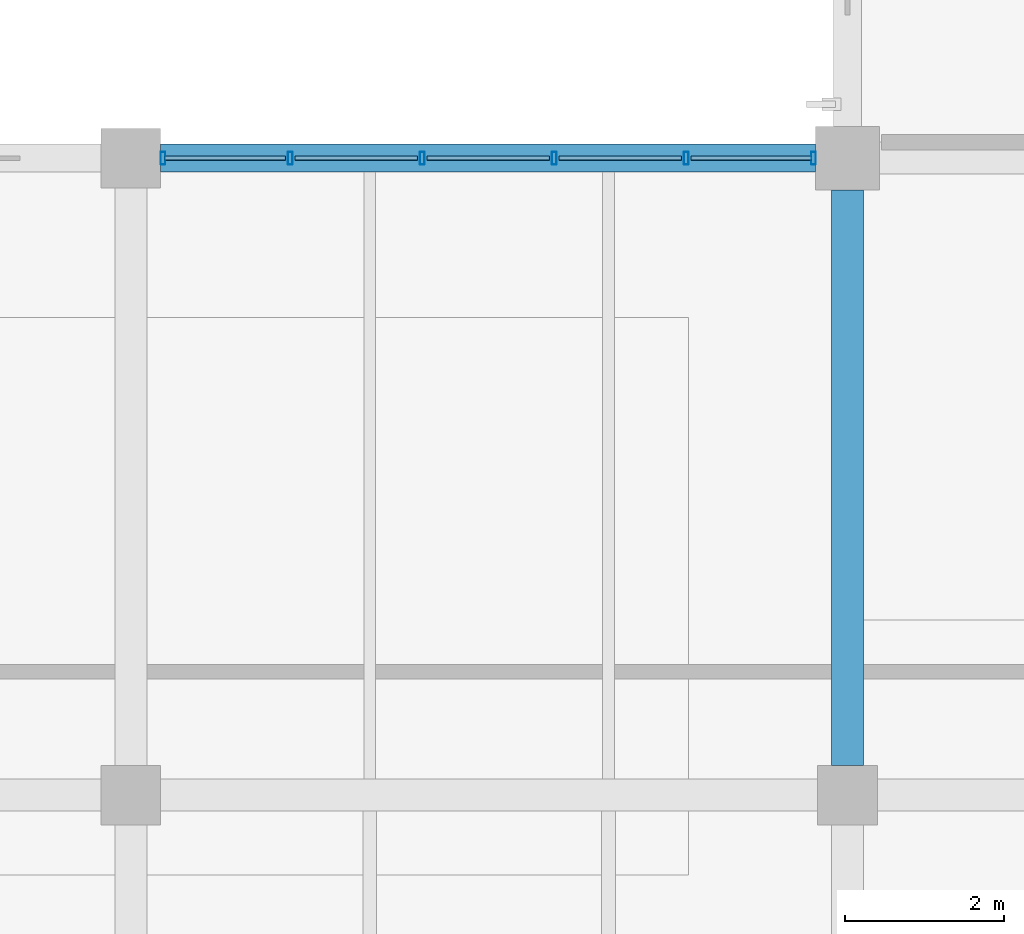
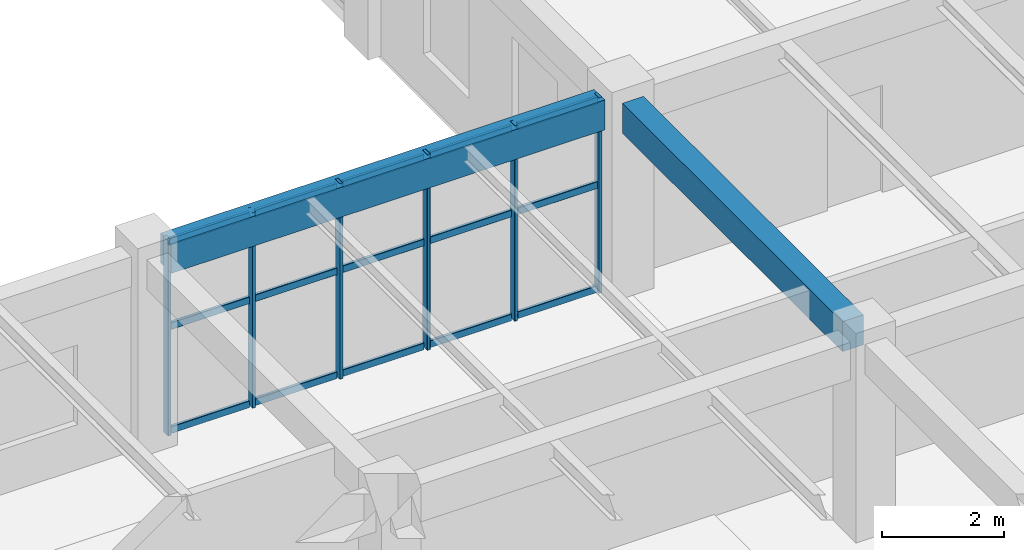
# One storey, part 89 of 148: 21 members, 2 beams, 1 element without a shape of its own.
"""IFC4 building model written with IfcOpenShell, lengths in metres."""

from ifc_helpers import new_model, si_unit, derived_unit, direction, frame, origin, origin_2d, place, context, subcontext, project, spatial, rectangle, hollow_rectangle, extrude, material, material_profile, profile_set, type_object, element, aggregate, save


model = new_model("IFC4")

# Units and contexts
model_context = context("Model", 3, precision=1e-05, world=origin(), true_north=direction((0.0, 1.0)))
body_context = subcontext(model_context, "Body", "Model", "MODEL_VIEW")
ifc_project = project(units=[si_unit("LENGTHUNIT", "METRE"), si_unit("AREAUNIT", "SQUARE_METRE"), si_unit("VOLUMEUNIT", "CUBIC_METRE"), si_unit("PLANEANGLEUNIT", "RADIAN"), si_unit("MASSUNIT", "GRAM", prefix="KILO"), derived_unit("THERMALTRANSMITTANCEUNIT", [(si_unit("MASSUNIT", "GRAM", prefix="KILO"), 1), (si_unit("TIMEUNIT", "SECOND"), -3), (si_unit("THERMODYNAMICTEMPERATUREUNIT", "KELVIN"), -1)])], contexts=[model_context])

# Site, building, storey
site_placement = place(None, origin())
site = spatial("IfcSite", under=ifc_project, at=site_placement, CompositionType="ELEMENT")
building_placement = place(site_placement, origin())
building = spatial("IfcBuilding", under=site, at=building_placement, Name="Zhenchuan Archway Interchange", CompositionType="ELEMENT")
storey_placement = place(building_placement, frame((0.0, 0.0, 10.199951171875)))
storey = spatial("IfcBuildingStorey", under=building, at=storey_placement, Name="L02", CompositionType="ELEMENT", Elevation=10.199951171875)

# Beam
ifc_material_1 = material(Name="Concrete C40", Category="concrete")
ifc_material_profile_1 = material_profile(ifc_material_1, rectangle(XDim=0.39990234375, YDim=0.60009765625, at=origin_2d()), Name="RC 400x600")
ifc_profile_set_1 = profile_set([ifc_material_profile_1], Name="Concrete C40")
beam_type_1 = type_object("IfcBeamType", Name="BM_RC_400x600", PredefinedType="BEAM", material=ifc_profile_set_1)
beam_1_placement = place(storey_placement, frame((144.0, 16.375, 3.6201171875), z_axis=(0.0, 1.0, 0.0), x_axis=(-1.0, 0.0, 0.0)))
element("IfcBeam", 1, at=beam_1_placement, inside=storey, type_object=beam_type_1, Name="Beam 17:C-D (L02)", PredefinedType="BEAM", context=body_context, shape_type="SweptSolid", body=[
    extrude(rectangle(XDim=0.39990234375, YDim=0.60009765625, at=origin_2d()), origin(), (0.0, 0.0, 1.0), 7.22509765625),
])

# Curtain wall, members
ifc_material_2 = material(Name="Anodised Aluminium", Category="aluminium")
curtain_wall_type = type_object("IfcCurtainWallType", Name="CW_UNIT_3", PredefinedType="NOTDEFINED", material=ifc_material_2)
curtain_wall_placement = place(storey_placement, origin())
curtain_wall = element("IfcCurtainWall", 2, at=curtain_wall_placement, inside=storey, type_object=curtain_wall_type, Name="Unitised curtain wall CW:L02:162", PredefinedType="NOTDEFINED")
ifc_material_profile_2 = material_profile(ifc_material_2, hollow_rectangle(XDim=0.06005859375, YDim=0.159912109375, WallThickness=0.00390625, InnerFilletRadius=0.00390625, OuterFilletRadius=0.008056640625, at=origin_2d()), Name="ALU 160x60x4")
ifc_profile_set_2 = profile_set([ifc_material_profile_2], Name="Anodised Aluminium")
member_type_1 = type_object("IfcMemberType", Name="CW_MUL_150", PredefinedType="MULLION", material=ifc_profile_set_2)
member_1_placement = place(storey_placement, frame((135.403076171875, 24.0, 0.0), z_axis=(0.0, 0.0, 1.0), x_axis=(1.0, 0.0, 0.0)))
member_1 = element("IfcMember", 3, at=member_1_placement, type_object=member_type_1, Name="CW:L02:162 mullion 0", PredefinedType="MULLION", context=body_context, shape_type="SweptSolid", body=[
    extrude(hollow_rectangle(XDim=0.06005859375, YDim=0.159912109375, WallThickness=0.00390625, InnerFilletRadius=0.00390625, OuterFilletRadius=0.008056640625, at=origin_2d()), origin(), (0.0, 0.0, 1.0), 3.920166015625),
])
member_2_placement = place(storey_placement, frame((137.000732421875, 24.0, 0.0), z_axis=(0.0, 0.0, 1.0), x_axis=(1.0, 0.0, 0.0)))
member_2 = element("IfcMember", 4, at=member_2_placement, type_object=member_type_1, Name="CW:L02:162 mullion 1", PredefinedType="MULLION", context=body_context, shape_type="SweptSolid", body=[
    extrude(hollow_rectangle(XDim=0.06005859375, YDim=0.159912109375, WallThickness=0.00390625, InnerFilletRadius=0.00390625, OuterFilletRadius=0.008056640625, at=origin_2d()), origin(), (0.0, 0.0, 1.0), 3.920166015625),
])
member_3_placement = place(storey_placement, frame((138.65869140625, 24.0, 0.0), z_axis=(0.0, 0.0, 1.0), x_axis=(1.0, 0.0, 0.0)))
member_3 = element("IfcMember", 5, at=member_3_placement, type_object=member_type_1, Name="CW:L02:162 mullion 2", PredefinedType="MULLION", context=body_context, shape_type="SweptSolid", body=[
    extrude(hollow_rectangle(XDim=0.06005859375, YDim=0.159912109375, WallThickness=0.00390625, InnerFilletRadius=0.00390625, OuterFilletRadius=0.008056640625, at=origin_2d()), origin(), (0.0, 0.0, 1.0), 3.920166015625),
])
member_4_placement = place(storey_placement, frame((140.31640625, 24.0, 0.0), z_axis=(0.0, 0.0, 1.0), x_axis=(1.0, 0.0, 0.0)))
member_4 = element("IfcMember", 6, at=member_4_placement, type_object=member_type_1, Name="CW:L02:162 mullion 3", PredefinedType="MULLION", context=body_context, shape_type="SweptSolid", body=[
    extrude(hollow_rectangle(XDim=0.06005859375, YDim=0.159912109375, WallThickness=0.00390625, InnerFilletRadius=0.00390625, OuterFilletRadius=0.008056640625, at=origin_2d()), origin(), (0.0, 0.0, 1.0), 3.920166015625),
])
member_5_placement = place(storey_placement, frame((141.97412109375, 24.0, 0.0), z_axis=(0.0, 0.0, 1.0), x_axis=(1.0, 0.0, 0.0)))
member_5 = element("IfcMember", 7, at=member_5_placement, type_object=member_type_1, Name="CW:L02:162 mullion 4", PredefinedType="MULLION", context=body_context, shape_type="SweptSolid", body=[
    extrude(hollow_rectangle(XDim=0.06005859375, YDim=0.159912109375, WallThickness=0.00390625, InnerFilletRadius=0.00390625, OuterFilletRadius=0.008056640625, at=origin_2d()), origin(), (0.0, 0.0, 1.0), 3.920166015625),
])
member_6_placement = place(storey_placement, frame((143.572021484375, 24.0, 0.0), z_axis=(0.0, 0.0, 1.0), x_axis=(1.0, 0.0, 0.0)))
member_6 = element("IfcMember", 8, at=member_6_placement, type_object=member_type_1, Name="CW:L02:162 mullion 5", PredefinedType="MULLION", context=body_context, shape_type="SweptSolid", body=[
    extrude(hollow_rectangle(XDim=0.06005859375, YDim=0.159912109375, WallThickness=0.00390625, InnerFilletRadius=0.00390625, OuterFilletRadius=0.008056640625, at=origin_2d()), origin(), (0.0, 0.0, 1.0), 3.920166015625),
])
ifc_material_profile_3 = material_profile(ifc_material_2, hollow_rectangle(XDim=0.06005859375, YDim=0.139892578125, WallThickness=0.00341796875, InnerFilletRadius=0.00341796875, OuterFilletRadius=0.007080078125, at=origin_2d()), Name="ALU 140x60x3.5")
ifc_profile_set_3 = profile_set([ifc_material_profile_3], Name="Anodised Aluminium")
member_type_2 = type_object("IfcMemberType", Name="CW_TRN_140", PredefinedType="USERDEFINED", material=ifc_profile_set_3)
member_7_placement = place(storey_placement, frame((135.423095703125, 24.0, 0.06005859375), z_axis=(1.0, 0.0, 0.0), x_axis=(0.0, 1.0, 0.0)))
member_7 = element("IfcMember", 9, at=member_7_placement, type_object=member_type_2, Name="CW:L02:162 transom 0-1", ObjectType="TRANSOM", PredefinedType="USERDEFINED", context=body_context, shape_type="SweptSolid", body=[
    extrude(hollow_rectangle(XDim=0.06005859375, YDim=0.139892578125, WallThickness=0.00341796875, InnerFilletRadius=0.00341796875, OuterFilletRadius=0.007080078125, at=origin_2d()), origin(), (0.0, 0.0, 1.0), 1.517822265625),
])
member_8_placement = place(storey_placement, frame((135.423095703125, 24.0, 2.14501953125), z_axis=(1.0, 0.0, 0.0), x_axis=(0.0, 1.0, 0.0)))
member_8 = element("IfcMember", 10, at=member_8_placement, type_object=member_type_2, Name="CW:L02:162 transom 0-2", ObjectType="TRANSOM", PredefinedType="USERDEFINED", context=body_context, shape_type="SweptSolid", body=[
    extrude(hollow_rectangle(XDim=0.06005859375, YDim=0.139892578125, WallThickness=0.00341796875, InnerFilletRadius=0.00341796875, OuterFilletRadius=0.007080078125, at=origin_2d()), origin(), (0.0, 0.0, 1.0), 1.517822265625),
])
member_9_placement = place(storey_placement, frame((135.423095703125, 24.0, 3.840087890625), z_axis=(1.0, 0.0, 0.0), x_axis=(0.0, 1.0, 0.0)))
member_9 = element("IfcMember", 11, at=member_9_placement, type_object=member_type_2, Name="CW:L02:162 transom 0-3", ObjectType="TRANSOM", PredefinedType="USERDEFINED", context=body_context, shape_type="SweptSolid", body=[
    extrude(hollow_rectangle(XDim=0.06005859375, YDim=0.139892578125, WallThickness=0.00341796875, InnerFilletRadius=0.00341796875, OuterFilletRadius=0.007080078125, at=origin_2d()), origin(), (0.0, 0.0, 1.0), 1.517822265625),
])
member_10_placement = place(storey_placement, frame((137.060791015625, 24.0, 0.06005859375), z_axis=(1.0, 0.0, 0.0), x_axis=(0.0, 1.0, 0.0)))
member_10 = element("IfcMember", 12, at=member_10_placement, type_object=member_type_2, Name="CW:L02:162 transom 1-1", ObjectType="TRANSOM", PredefinedType="USERDEFINED", context=body_context, shape_type="SweptSolid", body=[
    extrude(hollow_rectangle(XDim=0.06005859375, YDim=0.139892578125, WallThickness=0.00341796875, InnerFilletRadius=0.00341796875, OuterFilletRadius=0.007080078125, at=origin_2d()), origin(), (0.0, 0.0, 1.0), 1.537841796875),
])
member_11_placement = place(storey_placement, frame((137.060791015625, 24.0, 2.14501953125), z_axis=(1.0, 0.0, 0.0), x_axis=(0.0, 1.0, 0.0)))
member_11 = element("IfcMember", 13, at=member_11_placement, type_object=member_type_2, Name="CW:L02:162 transom 1-2", ObjectType="TRANSOM", PredefinedType="USERDEFINED", context=body_context, shape_type="SweptSolid", body=[
    extrude(hollow_rectangle(XDim=0.06005859375, YDim=0.139892578125, WallThickness=0.00341796875, InnerFilletRadius=0.00341796875, OuterFilletRadius=0.007080078125, at=origin_2d()), origin(), (0.0, 0.0, 1.0), 1.537841796875),
])
member_12_placement = place(storey_placement, frame((137.060791015625, 24.0, 3.840087890625), z_axis=(1.0, 0.0, 0.0), x_axis=(0.0, 1.0, 0.0)))
member_12 = element("IfcMember", 14, at=member_12_placement, type_object=member_type_2, Name="CW:L02:162 transom 1-3", ObjectType="TRANSOM", PredefinedType="USERDEFINED", context=body_context, shape_type="SweptSolid", body=[
    extrude(hollow_rectangle(XDim=0.06005859375, YDim=0.139892578125, WallThickness=0.00341796875, InnerFilletRadius=0.00341796875, OuterFilletRadius=0.007080078125, at=origin_2d()), origin(), (0.0, 0.0, 1.0), 1.537841796875),
])
member_13_placement = place(storey_placement, frame((138.718505859375, 24.0, 0.06005859375), z_axis=(1.0, 0.0, 0.0), x_axis=(0.0, 1.0, 0.0)))
member_13 = element("IfcMember", 15, at=member_13_placement, type_object=member_type_2, Name="CW:L02:162 transom 2-1", ObjectType="TRANSOM", PredefinedType="USERDEFINED", context=body_context, shape_type="SweptSolid", body=[
    extrude(hollow_rectangle(XDim=0.06005859375, YDim=0.139892578125, WallThickness=0.00341796875, InnerFilletRadius=0.00341796875, OuterFilletRadius=0.007080078125, at=origin_2d()), origin(), (0.0, 0.0, 1.0), 1.537841796875),
])
member_14_placement = place(storey_placement, frame((138.718505859375, 24.0, 2.14501953125), z_axis=(1.0, 0.0, 0.0), x_axis=(0.0, 1.0, 0.0)))
member_14 = element("IfcMember", 16, at=member_14_placement, type_object=member_type_2, Name="CW:L02:162 transom 2-2", ObjectType="TRANSOM", PredefinedType="USERDEFINED", context=body_context, shape_type="SweptSolid", body=[
    extrude(hollow_rectangle(XDim=0.06005859375, YDim=0.139892578125, WallThickness=0.00341796875, InnerFilletRadius=0.00341796875, OuterFilletRadius=0.007080078125, at=origin_2d()), origin(), (0.0, 0.0, 1.0), 1.537841796875),
])
member_15_placement = place(storey_placement, frame((138.718505859375, 24.0, 3.840087890625), z_axis=(1.0, 0.0, 0.0), x_axis=(0.0, 1.0, 0.0)))
member_15 = element("IfcMember", 17, at=member_15_placement, type_object=member_type_2, Name="CW:L02:162 transom 2-3", ObjectType="TRANSOM", PredefinedType="USERDEFINED", context=body_context, shape_type="SweptSolid", body=[
    extrude(hollow_rectangle(XDim=0.06005859375, YDim=0.139892578125, WallThickness=0.00341796875, InnerFilletRadius=0.00341796875, OuterFilletRadius=0.007080078125, at=origin_2d()), origin(), (0.0, 0.0, 1.0), 1.537841796875),
])
member_16_placement = place(storey_placement, frame((140.37646484375, 24.0, 0.06005859375), z_axis=(1.0, 0.0, 0.0), x_axis=(0.0, 1.0, 0.0)))
member_16 = element("IfcMember", 18, at=member_16_placement, type_object=member_type_2, Name="CW:L02:162 transom 3-1", ObjectType="TRANSOM", PredefinedType="USERDEFINED", context=body_context, shape_type="SweptSolid", body=[
    extrude(hollow_rectangle(XDim=0.06005859375, YDim=0.139892578125, WallThickness=0.00341796875, InnerFilletRadius=0.00341796875, OuterFilletRadius=0.007080078125, at=origin_2d()), origin(), (0.0, 0.0, 1.0), 1.537841796875),
])
member_17_placement = place(storey_placement, frame((140.37646484375, 24.0, 2.14501953125), z_axis=(1.0, 0.0, 0.0), x_axis=(0.0, 1.0, 0.0)))
member_17 = element("IfcMember", 19, at=member_17_placement, type_object=member_type_2, Name="CW:L02:162 transom 3-2", ObjectType="TRANSOM", PredefinedType="USERDEFINED", context=body_context, shape_type="SweptSolid", body=[
    extrude(hollow_rectangle(XDim=0.06005859375, YDim=0.139892578125, WallThickness=0.00341796875, InnerFilletRadius=0.00341796875, OuterFilletRadius=0.007080078125, at=origin_2d()), origin(), (0.0, 0.0, 1.0), 1.537841796875),
])
member_18_placement = place(storey_placement, frame((140.37646484375, 24.0, 3.840087890625), z_axis=(1.0, 0.0, 0.0), x_axis=(0.0, 1.0, 0.0)))
member_18 = element("IfcMember", 20, at=member_18_placement, type_object=member_type_2, Name="CW:L02:162 transom 3-3", ObjectType="TRANSOM", PredefinedType="USERDEFINED", context=body_context, shape_type="SweptSolid", body=[
    extrude(hollow_rectangle(XDim=0.06005859375, YDim=0.139892578125, WallThickness=0.00341796875, InnerFilletRadius=0.00341796875, OuterFilletRadius=0.007080078125, at=origin_2d()), origin(), (0.0, 0.0, 1.0), 1.537841796875),
])
member_19_placement = place(storey_placement, frame((142.0341796875, 24.0, 0.06005859375), z_axis=(1.0, 0.0, 0.0), x_axis=(0.0, 1.0, 0.0)))
member_19 = element("IfcMember", 21, at=member_19_placement, type_object=member_type_2, Name="CW:L02:162 transom 4-1", ObjectType="TRANSOM", PredefinedType="USERDEFINED", context=body_context, shape_type="SweptSolid", body=[
    extrude(hollow_rectangle(XDim=0.06005859375, YDim=0.139892578125, WallThickness=0.00341796875, InnerFilletRadius=0.00341796875, OuterFilletRadius=0.007080078125, at=origin_2d()), origin(), (0.0, 0.0, 1.0), 1.517822265625),
])
member_20_placement = place(storey_placement, frame((142.0341796875, 24.0, 2.14501953125), z_axis=(1.0, 0.0, 0.0), x_axis=(0.0, 1.0, 0.0)))
member_20 = element("IfcMember", 22, at=member_20_placement, type_object=member_type_2, Name="CW:L02:162 transom 4-2", ObjectType="TRANSOM", PredefinedType="USERDEFINED", context=body_context, shape_type="SweptSolid", body=[
    extrude(hollow_rectangle(XDim=0.06005859375, YDim=0.139892578125, WallThickness=0.00341796875, InnerFilletRadius=0.00341796875, OuterFilletRadius=0.007080078125, at=origin_2d()), origin(), (0.0, 0.0, 1.0), 1.517822265625),
])
member_21_placement = place(storey_placement, frame((142.0341796875, 24.0, 3.840087890625), z_axis=(1.0, 0.0, 0.0), x_axis=(0.0, 1.0, 0.0)))
member_21 = element("IfcMember", 23, at=member_21_placement, type_object=member_type_2, Name="CW:L02:162 transom 4-3", ObjectType="TRANSOM", PredefinedType="USERDEFINED", context=body_context, shape_type="SweptSolid", body=[
    extrude(hollow_rectangle(XDim=0.06005859375, YDim=0.139892578125, WallThickness=0.00341796875, InnerFilletRadius=0.00341796875, OuterFilletRadius=0.007080078125, at=origin_2d()), origin(), (0.0, 0.0, 1.0), 1.517822265625),
])
aggregate(curtain_wall, [member_1, member_2, member_3, member_4, member_5, member_6, member_7, member_8, member_9, member_10, member_11, member_12, member_13, member_14, member_15, member_16, member_17, member_18, member_19, member_20, member_21])

# Beam
ifc_material_profile_4 = material_profile(ifc_material_1, rectangle(XDim=0.35009765625, YDim=0.60009765625, at=origin_2d()), Name="RC 350x600")
ifc_profile_set_4 = profile_set([ifc_material_profile_4], Name="Concrete C40")
beam_type_2 = type_object("IfcBeamType", Name="SP_RC_350x600", PredefinedType="SPANDREL", material=ifc_profile_set_4)
beam_2_placement = place(storey_placement, frame((135.375, 24.0, 3.6201171875), z_axis=(1.0, 0.0, 0.0), x_axis=(0.0, 1.0, 0.0)))
element("IfcBeam", 24, at=beam_2_placement, inside=storey, type_object=beam_type_2, Name="Beam D:16-17 (L02)", PredefinedType="SPANDREL", context=body_context, shape_type="SweptSolid", body=[
    extrude(rectangle(XDim=0.35009765625, YDim=0.60009765625, at=origin_2d()), origin(), (0.0, 0.0, 1.0), 8.22509765625),
])

save(model, "model.ifc")
